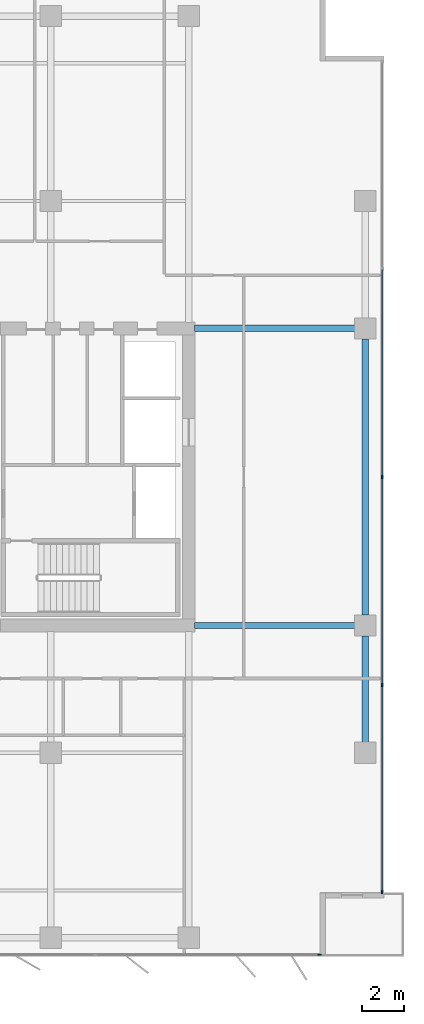
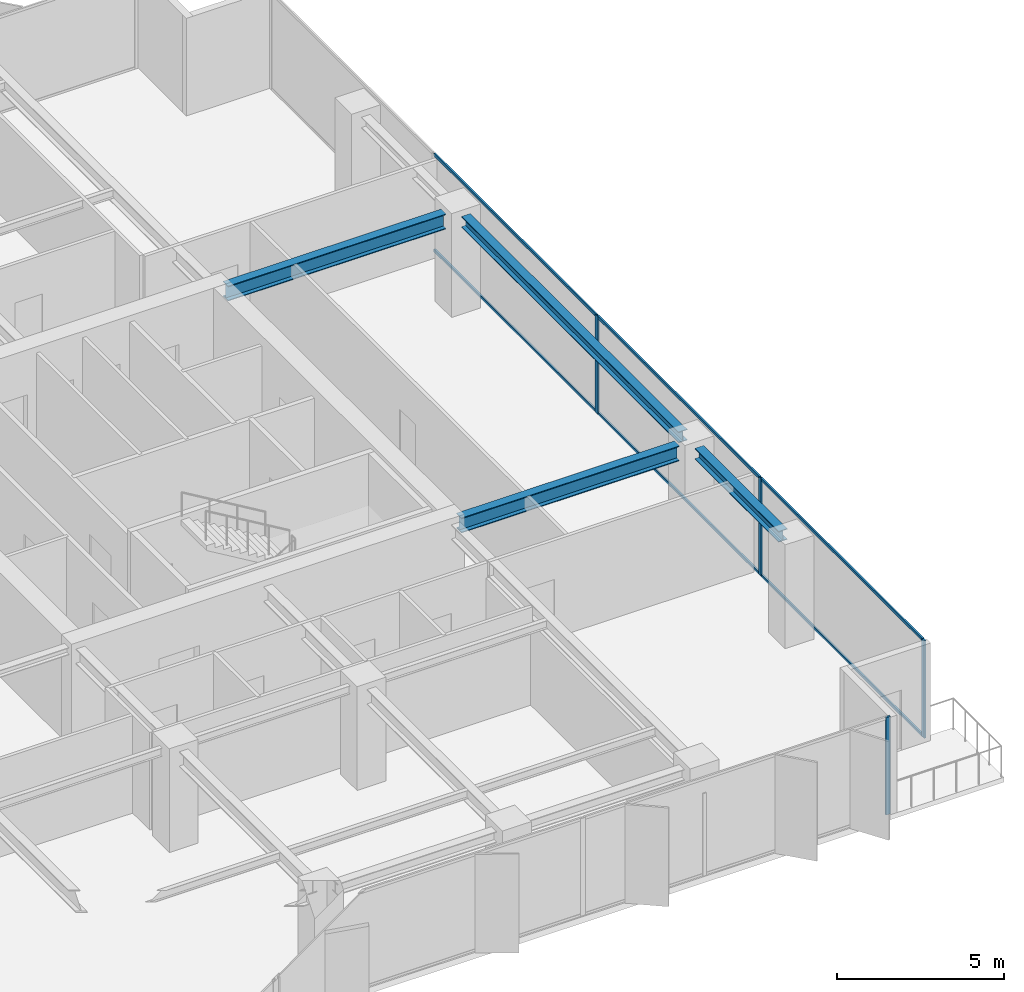
# One storey, part 12 of 22: 10 members, 4 beams, 2 elements without a shape of their own.
"""IFC4 building model written with IfcOpenShell, lengths in metres."""

import ifcopenshell
import ifcopenshell.guid

model = None  # the IFC model being written
_history = None  # IfcOwnerHistory: only IFC2X3 demands one
_inside = {}  # id of a spatial element -> (the spatial element, [elements in it])
_under = {}  # id of a project, library or spatial element -> (it, [spatial elements below it])
_declared = {}  # id of a project -> (the project, [libraries it declares])
_typed = {}  # id of a type object -> (the type object, [elements of that type])
_made_of = {}  # id of a material, layer set ... -> (it, [elements and type objects made of it])


def new_model(schema):
    """Start an empty IFC model of exactly this schema.

    Asked for "IFC4X3", IfcOpenShell would pick the latest addendum, in which some entities
    have other attributes; the version numbers below select the first issue.
    IFC2X3 requires an IfcOwnerHistory on every rooted entity: one is made here for all.
    """
    global model, _history
    if schema == "IFC4X3":
        model = ifcopenshell.file(schema_version=(4, 3, 0, 0))
    else:
        model = ifcopenshell.file(schema=schema)
    _inside.clear()
    _under.clear()
    _declared.clear()
    _typed.clear()
    _made_of.clear()
    _history = None
    if model.schema == "IFC2X3":
        org = make("IfcOrganization", Name="unknown")
        user = make(
            "IfcPersonAndOrganization",
            ThePerson=make("IfcPerson", FamilyName="unknown"),
            TheOrganization=org,
        )
        app = make(
            "IfcApplication",
            ApplicationDeveloper=org,
            Version="unknown",
            ApplicationFullName="unknown",
            ApplicationIdentifier="unknown",
        )
        _history = make(
            "IfcOwnerHistory",
            OwningUser=user,
            OwningApplication=app,
            ChangeAction="ADDED",
            CreationDate=0,
        )
    return model


def make(cls, **values):
    """One entity of the class cls with the attributes given. An attribute that is None is left unset."""
    return model.create_entity(
        cls, **{name: value for name, value in values.items() if value is not None}
    )


def rooted(cls, **values):
    """An entity with a GlobalId (a new one), such as an element, a storey or a relation."""
    return make(cls, GlobalId=ifcopenshell.guid.new(), OwnerHistory=_history, **values)


def si_unit(unit_type, name, prefix=None):
    """IfcSIUnit, for example si_unit("LENGTHUNIT", "METRE", prefix="MILLI")."""
    return make("IfcSIUnit", UnitType=unit_type, Prefix=prefix, Name=name)


def assignment(units):
    """IfcUnitAssignment: the units of a project."""
    return None if units is None else make("IfcUnitAssignment", Units=units)


def point(xyz):
    """IfcCartesianPoint."""
    return None if xyz is None else make("IfcCartesianPoint", Coordinates=xyz)


def direction(xyz):
    """IfcDirection."""
    return None if xyz is None else make("IfcDirection", DirectionRatios=xyz)


def frame(location, z_axis=None, x_axis=None):
    """IfcAxis2Placement3D, a coordinate frame: its origin and axes. An axis left out is left unset."""
    return make(
        "IfcAxis2Placement3D",
        Location=point(location),
        Axis=direction(z_axis),
        RefDirection=direction(x_axis),
    )


def frame_2d(location, x_axis=None):
    """IfcAxis2Placement2D, a coordinate frame in the plane: its origin and x axis."""
    return make(
        "IfcAxis2Placement2D", Location=point(location), RefDirection=direction(x_axis)
    )


def origin():
    """The frame at (0, 0, 0) with its axes left unset."""
    return frame((0.0, 0.0, 0.0))


def origin_2d():
    """The frame at (0, 0) in the plane with its x axis left unset."""
    return frame_2d((0.0, 0.0))


def place(relative_to, where):
    """IfcLocalPlacement: puts the frame where relative to a parent placement (None: the world)."""
    return make(
        "IfcLocalPlacement", PlacementRelTo=relative_to, RelativePlacement=where
    )


def context(
    kind, dimensions, precision=None, world=None, true_north=None, identifier=None
):
    """IfcGeometricRepresentationContext, for example the 3D "Model" context."""
    return make(
        "IfcGeometricRepresentationContext",
        ContextIdentifier=identifier,
        ContextType=kind,
        CoordinateSpaceDimension=dimensions,
        Precision=precision,
        WorldCoordinateSystem=world,
        TrueNorth=true_north,
    )


def subcontext(parent, identifier, kind, view, scale=None):
    """IfcGeometricRepresentationSubContext, for example "Body" below "Model"."""
    return make(
        "IfcGeometricRepresentationSubContext",
        ContextIdentifier=identifier,
        ContextType=kind,
        ParentContext=parent,
        TargetScale=scale,
        TargetView=view,
    )


def project(units=None, contexts=None):
    """IfcProject with its units and contexts."""
    return rooted(
        "IfcProject",
        Name="project",
        RepresentationContexts=contexts,
        UnitsInContext=assignment(units),
    )


def spatial(cls, under=None, at=None, **own):
    """A site, building, storey or space (cls), placed at a placement, below another one or the project."""
    s = rooted(cls, ObjectPlacement=at, **own)
    if under is not None:
        _under.setdefault(under.id(), (under, []))[1].append(s)
    return s


def profile(cls, at=None, kind="AREA", **sizes):
    """A parametric profile (cls). Its sizes go by their IFC names, for example OverallWidth=200.0."""
    return make(cls, ProfileType=kind, Position=at, **sizes)


def rectangle(**sizes):
    """IfcRectangleProfileDef."""
    return profile("IfcRectangleProfileDef", **sizes)


def i_section(**sizes):
    """IfcIShapeProfileDef."""
    return profile("IfcIShapeProfileDef", **sizes)


def extrude(swept, where, along, depth):
    """IfcExtrudedAreaSolid: the profile swept, set in the frame where, extruded along a direction by depth."""
    return make(
        "IfcExtrudedAreaSolid",
        SweptArea=swept,
        Position=where,
        ExtrudedDirection=direction(along),
        Depth=depth,
    )


def shape(context_of_items, identifier, shape_type, items):
    """IfcShapeRepresentation: the items that make up one representation, for example the "Body"."""
    return make(
        "IfcShapeRepresentation",
        ContextOfItems=context_of_items,
        RepresentationIdentifier=identifier,
        RepresentationType=shape_type,
        Items=items,
    )


def material(Name=None, Category=None):
    """IfcMaterial."""
    return make("IfcMaterial", Name=Name, Category=Category)


def layer(
    of_material, thickness, ventilated=None, Name=None, Category=None, Priority=None
):
    """IfcMaterialLayer: one layer of a wall or slab, of a material (None: an air gap)."""
    return make(
        "IfcMaterialLayer",
        Material=of_material,
        LayerThickness=thickness,
        IsVentilated=ventilated,
        Name=Name,
        Category=Category,
        Priority=Priority,
    )


def layer_set(layers, Name=None):
    """IfcMaterialLayerSet."""
    return make("IfcMaterialLayerSet", MaterialLayers=layers, LayerSetName=Name)


def material_profile(
    of_material, cross_section, Name=None, Category=None, Priority=None
):
    """IfcMaterialProfile: a cross section and its material."""
    return make(
        "IfcMaterialProfile",
        Name=Name,
        Material=of_material,
        Profile=cross_section,
        Priority=Priority,
        Category=Category,
    )


def profile_set(profiles, Name=None, composite=None):
    """IfcMaterialProfileSet."""
    return make(
        "IfcMaterialProfileSet",
        Name=Name,
        MaterialProfiles=profiles,
        CompositeProfile=composite,
    )


def made_of(thing, what):
    """Note that an element or type object is made of a material, layer set ...; save() writes the relation."""
    if what is not None:
        _made_of.setdefault(what.id(), (what, []))[1].append(thing)
    return thing


def type_object(cls, material=None, **own):
    """A type object (cls), such as IfcWallType, which elements share."""
    return made_of(rooted(cls, **own), material)


def element(
    cls,
    number,
    at=None,
    inside=None,
    cuts=None,
    type_object=None,
    material=None,
    context=None,
    identifier="Body",
    shape_type=None,
    held_by="IfcProductDefinitionShape",
    body=None,
    shapes=None,
    **own,
):
    """One element of the class cls, such as IfcWall. Its Tag is "e" and its number.

    at: its placement. inside: the storey or other place that contains it. cuts: it is an
    opening in that element (IfcRelVoidsElement). A single representation is given by context,
    identifier, shape_type and body (its items); several are given by shapes. held_by: the class
    of the entity that holds the representations. save() writes the other relations.
    """
    e = rooted(cls, Tag="e%d" % number, ObjectPlacement=at, **own)
    if body is not None:
        shapes = [shape(context, identifier, shape_type, body)]
    if shapes is not None:
        e.Representation = make(held_by, Representations=shapes)
    if inside is not None:
        _inside.setdefault(inside.id(), (inside, []))[1].append(e)
    if cuts is not None:
        rooted(
            "IfcRelVoidsElement", RelatingBuildingElement=cuts, RelatedOpeningElement=e
        )
    if type_object is not None:
        _typed.setdefault(type_object.id(), (type_object, []))[1].append(e)
    return made_of(e, material)


def aggregate(whole, parts):
    """IfcRelAggregates: a whole, such as a stair, and the parts it consists of."""
    return rooted("IfcRelAggregates", RelatingObject=whole, RelatedObjects=parts)


def save(model, path):
    """Write the relations noted so far, then the file.

    IfcRelAggregates (storeys below a building ...), IfcRelContainedInSpatialStructure (elements
    in a storey), IfcRelDefinesByType, IfcRelAssociatesMaterial and IfcRelDeclares: one each for
    every whole, place, type object, material and project.
    """
    for whole, parts in _under.values():
        aggregate(whole, parts)
    for where, things in _inside.values():
        rooted(
            "IfcRelContainedInSpatialStructure",
            RelatedElements=things,
            RelatingStructure=where,
        )
    for kind, things in _typed.values():
        rooted("IfcRelDefinesByType", RelatedObjects=things, RelatingType=kind)
    for what, things in _made_of.values():
        rooted("IfcRelAssociatesMaterial", RelatedObjects=things, RelatingMaterial=what)
    for by, libraries in _declared.values():
        rooted("IfcRelDeclares", RelatingContext=by, RelatedDefinitions=libraries)
    model.write(path)


model = new_model("IFC4")

# Units and contexts
model_context = context("Model", 3, precision=1e-05, world=origin(), true_north=direction((0.0, 1.0)))
body_context = subcontext(model_context, "Body", "Model", "MODEL_VIEW")
ifc_project = project(units=[si_unit("LENGTHUNIT", "METRE"), si_unit("AREAUNIT", "SQUARE_METRE"), si_unit("VOLUMEUNIT", "CUBIC_METRE"), si_unit("PLANEANGLEUNIT", "RADIAN"), si_unit("MASSUNIT", "GRAM", prefix="KILO")], contexts=[model_context])

# Site, building, storey
site_placement = place(None, origin())
site = spatial("IfcSite", under=ifc_project, at=site_placement, CompositionType="ELEMENT")
building_placement = place(site_placement, origin())
building = spatial("IfcBuilding", under=site, at=building_placement, Name="Putna Gate Headquarters", CompositionType="ELEMENT")
storey_placement = place(building_placement, frame((0.0, 0.0, 174.60009765625)))
storey = spatial("IfcBuildingStorey", under=building, at=storey_placement, Name="L43", CompositionType="ELEMENT", Elevation=174.60009765625)

# Beams
ifc_material_1 = material(Name="Steel S355J2", Category="steel")
ifc_material_profile_1 = material_profile(ifc_material_1, i_section(OverallWidth=0.300048828125, OverallDepth=0.550048828125, WebThickness=0.014892578125, FlangeThickness=0.029052734375, at=origin_2d()), Name="Steel S355J2")
ifc_profile_set_1 = profile_set([ifc_material_profile_1], Name="Steel S355J2")
beam_type_1 = type_object("IfcBeamType", Name="BM-GIRD-Z3-HEB550", PredefinedType="USERDEFINED", material=ifc_profile_set_1)
for number, where, z_axis, x_axis, name in (
    (1, (65.284912109375, 19.0, 3.296875), (1.0, 0.0, 0.0), (0.0, 1.0, 0.0), "L43 East Wing Girder Y19"),
    (2, (65.284912109375, 33.0, 3.296875), (1.0, 0.0, 0.0), (0.0, 1.0, 0.0), "L43 East Wing Girder Y33"),
):
    element("IfcBeam", number, at=place(storey_placement, frame(where, z_axis=z_axis, x_axis=x_axis)), inside=storey, type_object=beam_type_1, Name=name, ObjectType="GIRDER", PredefinedType="USERDEFINED", context=body_context, shape_type="SweptSolid", body=[
        extrude(i_section(OverallWidth=0.300048828125, OverallDepth=0.550048828125, WebThickness=0.014892578125, FlangeThickness=0.029052734375, at=origin_2d()), origin(), (0.0, 0.0, 1.0), 7.547119140625),
    ])
ifc_material_profile_2 = material_profile(ifc_material_1, i_section(OverallWidth=0.300048828125, OverallDepth=0.39990234375, WebThickness=0.013427734375, FlangeThickness=0.02392578125, at=origin_2d()), Name="Steel S355J2")
ifc_profile_set_2 = profile_set([ifc_material_profile_2], Name="Steel S355J2")
beam_type_2 = type_object("IfcBeamType", Name="BM-SPAN-Z3-HEB400", PredefinedType="SPANDREL", material=ifc_profile_set_2)
beam_1_placement = place(storey_placement, frame((73.320068359375, 13.488037109375, 3.371826171875), z_axis=(0.0, 1.0, 0.0), x_axis=(-1.0, 0.0, 0.0)))
element("IfcBeam", 3, at=beam_1_placement, inside=storey, type_object=beam_type_2, Name="L43 E End Spandrel 1", PredefinedType="SPANDREL", context=body_context, shape_type="SweptSolid", body=[
    extrude(i_section(OverallWidth=0.300048828125, OverallDepth=0.39990234375, WebThickness=0.013427734375, FlangeThickness=0.02392578125, at=origin_2d()), origin(), (0.0, 0.0, 1.0), 5.02392578125),
])
beam_2_placement = place(storey_placement, frame((73.320068359375, 19.488037109375, 3.371826171875), z_axis=(0.0, 1.0, 0.0), x_axis=(-1.0, 0.0, 0.0)))
element("IfcBeam", 4, at=beam_2_placement, inside=storey, type_object=beam_type_2, Name="L43 E End Spandrel 2", PredefinedType="SPANDREL", context=body_context, shape_type="SweptSolid", body=[
    extrude(i_section(OverallWidth=0.300048828125, OverallDepth=0.39990234375, WebThickness=0.013427734375, FlangeThickness=0.02392578125, at=origin_2d()), origin(), (0.0, 0.0, 1.0), 13.02392578125),
])

# Curtain wall, member
ifc_material_2 = material(Name="Anodised bronze aluminium curtain wall", Category="aluminium")
ifc_layer = layer(ifc_material_2, 0.159912109375)
ifc_layer_set = layer_set([ifc_layer], Name="Anodised bronze aluminium curtain wall")
curtain_wall_type = type_object("IfcCurtainWallType", Name="CW-SYS-Z3", PredefinedType="USERDEFINED", material=ifc_layer_set)
curtain_wall_1_placement = place(storey_placement, origin())
curtain_wall_1 = element("IfcCurtainWall", 5, at=curtain_wall_1_placement, inside=storey, type_object=curtain_wall_type, Name="L43 South East Curtain Wall", ObjectType="STICK CURTAIN WALL", PredefinedType="USERDEFINED")
ifc_material_3 = material(Name="Anodised bronze aluminium EN AW-6060", Category="aluminium")
ifc_material_profile_3 = material_profile(ifc_material_3, rectangle(XDim=0.06494140625, YDim=0.159912109375, at=origin_2d()), Name="Anodised bronze aluminium EN AW-6060")
ifc_profile_set_3 = profile_set([ifc_material_profile_3], Name="Anodised bronze aluminium EN AW-6060")
member_type_1 = type_object("IfcMemberType", Name="MULL-CWM-3", PredefinedType="MULLION", material=ifc_profile_set_3)
member_1_placement = place(storey_placement, frame((71.16748046875, 3.47998046875, 0.0), z_axis=(0.0, 0.0, 1.0), x_axis=(0.0, 1.0, 0.0)))
member_1 = element("IfcMember", 6, at=member_1_placement, type_object=member_type_1, Name="CWS-3 mullion 3", PredefinedType="MULLION", context=body_context, shape_type="SweptSolid", body=[
    extrude(rectangle(XDim=0.06494140625, YDim=0.159912109375, at=origin_2d()), origin(), (0.0, 0.0, 1.0), 3.572021484375),
])
aggregate(curtain_wall_1, [member_1])

# Curtain wall, members
curtain_wall_2_placement = place(storey_placement, origin())
curtain_wall_2 = element("IfcCurtainWall", 7, at=curtain_wall_2_placement, inside=storey, type_object=curtain_wall_type, Name="L43 East Curtain Wall", ObjectType="STICK CURTAIN WALL", PredefinedType="USERDEFINED")
member_2_placement = place(storey_placement, frame((74.1201171875, 6.4326171875, 0.0), z_axis=(0.0, 0.0, 1.0), x_axis=(-1.0, 0.0, 0.0)))
member_2 = element("IfcMember", 8, at=member_2_placement, type_object=member_type_1, Name="CWS-3 mullion 1", PredefinedType="MULLION", context=body_context, shape_type="SweptSolid", body=[
    extrude(rectangle(XDim=0.06494140625, YDim=0.159912109375, at=origin_2d()), origin(), (0.0, 0.0, 1.0), 3.572021484375),
])
member_3_placement = place(storey_placement, frame((74.1201171875, 16.199951171875, 0.0), z_axis=(0.0, 0.0, 1.0), x_axis=(-1.0, 0.0, 0.0)))
member_3 = element("IfcMember", 9, at=member_3_placement, type_object=member_type_1, Name="CWS-3 mullion 2", PredefinedType="MULLION", context=body_context, shape_type="SweptSolid", body=[
    extrude(rectangle(XDim=0.06494140625, YDim=0.159912109375, at=origin_2d()), origin(), (0.0, 0.0, 1.0), 3.572021484375),
])
member_4_placement = place(storey_placement, frame((74.1201171875, 26.0, 0.0), z_axis=(0.0, 0.0, 1.0), x_axis=(-1.0, 0.0, 0.0)))
member_4 = element("IfcMember", 10, at=member_4_placement, type_object=member_type_1, Name="CWS-3 mullion 3", PredefinedType="MULLION", context=body_context, shape_type="SweptSolid", body=[
    extrude(rectangle(XDim=0.06494140625, YDim=0.159912109375, at=origin_2d()), origin(), (0.0, 0.0, 1.0), 3.572021484375),
])
ifc_material_profile_4 = material_profile(ifc_material_3, rectangle(XDim=0.06005859375, YDim=0.10009765625, at=origin_2d()), Name="Anodised bronze aluminium EN AW-6060")
ifc_profile_set_4 = profile_set([ifc_material_profile_4], Name="Anodised bronze aluminium EN AW-6060")
member_type_2 = type_object("IfcMemberType", Name="TRAN-CWT-3", PredefinedType="USERDEFINED", material=ifc_profile_set_4)
member_5_placement = place(storey_placement, frame((74.1201171875, 6.465087890625, 0.02978515625), z_axis=(0.0, 1.0, 0.0), x_axis=(-1.0, 0.0, 0.0)))
member_5 = element("IfcMember", 11, at=member_5_placement, type_object=member_type_2, Name="CWS-3 transom 1.1", ObjectType="TRANSOM", PredefinedType="USERDEFINED", context=body_context, shape_type="SweptSolid", body=[
    extrude(rectangle(XDim=0.06005859375, YDim=0.10009765625, at=origin_2d()), origin(), (0.0, 0.0, 1.0), 9.702392578125),
])
member_6_placement = place(storey_placement, frame((74.1201171875, 6.465087890625, 3.5419921875), z_axis=(0.0, 1.0, 0.0), x_axis=(-1.0, 0.0, 0.0)))
member_6 = element("IfcMember", 12, at=member_6_placement, type_object=member_type_2, Name="CWS-3 transom 1.2", ObjectType="TRANSOM", PredefinedType="USERDEFINED", context=body_context, shape_type="SweptSolid", body=[
    extrude(rectangle(XDim=0.06005859375, YDim=0.10009765625, at=origin_2d()), origin(), (0.0, 0.0, 1.0), 9.702392578125),
])
member_7_placement = place(storey_placement, frame((74.1201171875, 16.232421875, 0.02978515625), z_axis=(0.0, 1.0, 0.0), x_axis=(-1.0, 0.0, 0.0)))
member_7 = element("IfcMember", 13, at=member_7_placement, type_object=member_type_2, Name="CWS-3 transom 2.1", ObjectType="TRANSOM", PredefinedType="USERDEFINED", context=body_context, shape_type="SweptSolid", body=[
    extrude(rectangle(XDim=0.06005859375, YDim=0.10009765625, at=origin_2d()), origin(), (0.0, 0.0, 1.0), 9.735107421875),
])
member_8_placement = place(storey_placement, frame((74.1201171875, 16.232421875, 3.5419921875), z_axis=(0.0, 1.0, 0.0), x_axis=(-1.0, 0.0, 0.0)))
member_8 = element("IfcMember", 14, at=member_8_placement, type_object=member_type_2, Name="CWS-3 transom 2.2", ObjectType="TRANSOM", PredefinedType="USERDEFINED", context=body_context, shape_type="SweptSolid", body=[
    extrude(rectangle(XDim=0.06005859375, YDim=0.10009765625, at=origin_2d()), origin(), (0.0, 0.0, 1.0), 9.735107421875),
])
member_9_placement = place(storey_placement, frame((74.1201171875, 26.032470703125, 0.02978515625), z_axis=(0.0, 1.0, 0.0), x_axis=(-1.0, 0.0, 0.0)))
member_9 = element("IfcMember", 15, at=member_9_placement, type_object=member_type_2, Name="CWS-3 transom 3.1", ObjectType="TRANSOM", PredefinedType="USERDEFINED", context=body_context, shape_type="SweptSolid", body=[
    extrude(rectangle(XDim=0.06005859375, YDim=0.10009765625, at=origin_2d()), origin(), (0.0, 0.0, 1.0), 9.735107421875),
])
member_10_placement = place(storey_placement, frame((74.1201171875, 26.032470703125, 3.5419921875), z_axis=(0.0, 1.0, 0.0), x_axis=(-1.0, 0.0, 0.0)))
member_10 = element("IfcMember", 16, at=member_10_placement, type_object=member_type_2, Name="CWS-3 transom 3.2", ObjectType="TRANSOM", PredefinedType="USERDEFINED", context=body_context, shape_type="SweptSolid", body=[
    extrude(rectangle(XDim=0.06005859375, YDim=0.10009765625, at=origin_2d()), origin(), (0.0, 0.0, 1.0), 9.735107421875),
])
aggregate(curtain_wall_2, [member_2, member_3, member_4, member_5, member_6, member_7, member_8, member_9, member_10])

save(model, "model.ifc")
